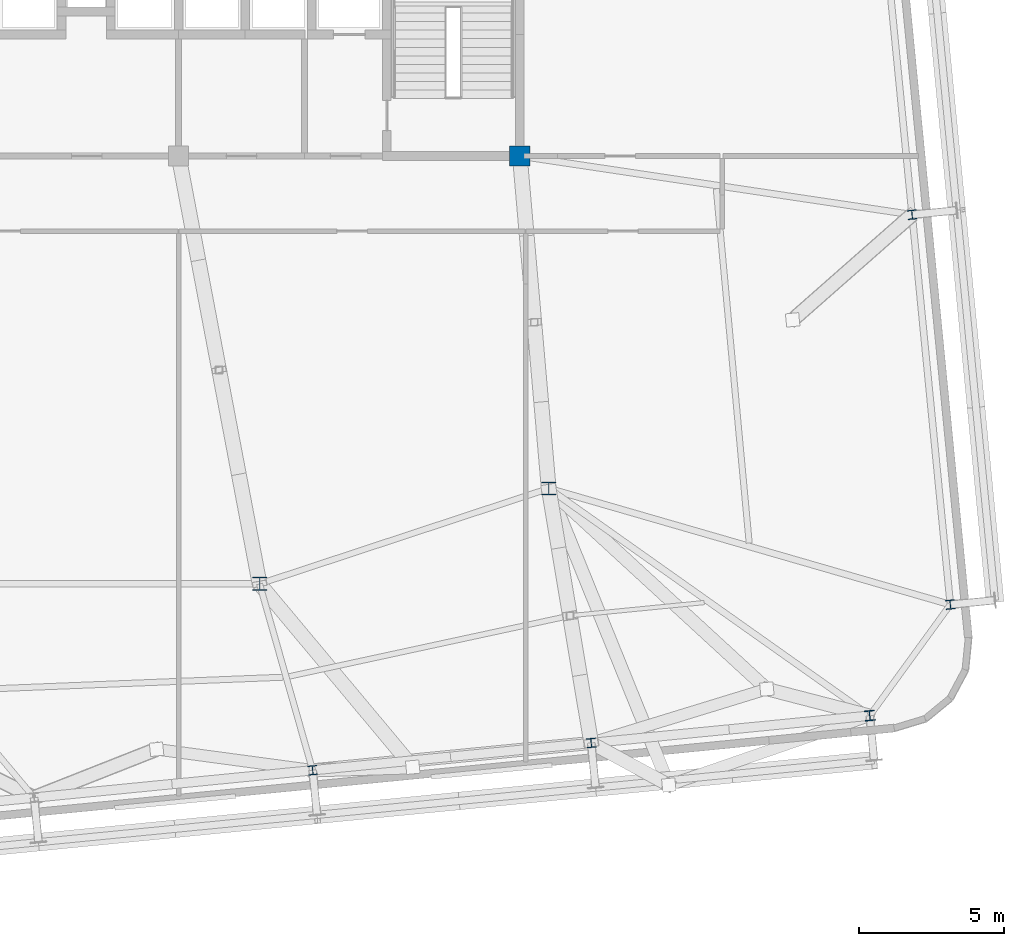
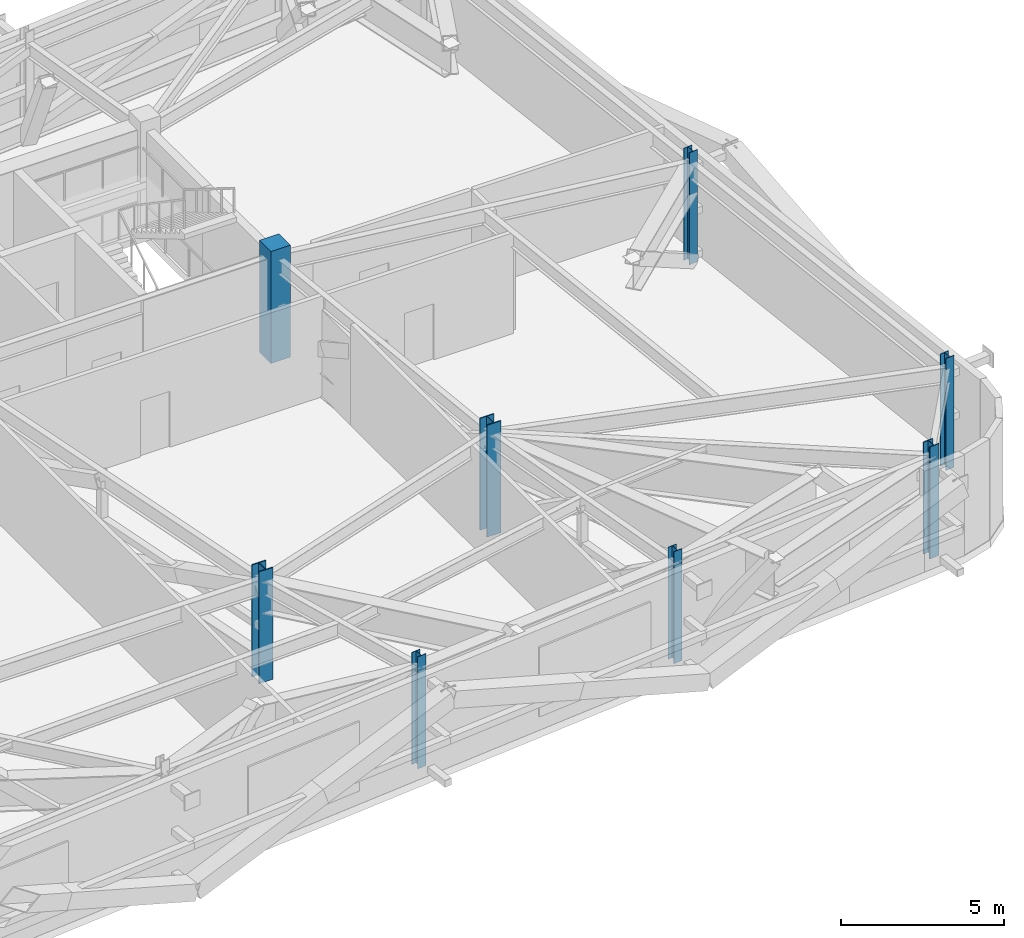
# One storey, part 2 of 24: 8 columns.
"""IFC4 building model written with IfcOpenShell, lengths in metres."""

from ifc_helpers import new_model, si_unit, direction, frame, origin, origin_2d, place, context, subcontext, project, spatial, rectangle, i_section, extrude, source, transform, mapped, material, material_profile, profile_set, type_object, element, save


model = new_model("IFC4")

# Units and contexts
model_context = context("Model", 3, precision=1e-05, world=origin(), true_north=direction((0.0, 1.0)))
body_context = subcontext(model_context, "Body", "Model", "MODEL_VIEW")
ifc_project = project(units=[si_unit("LENGTHUNIT", "METRE"), si_unit("AREAUNIT", "SQUARE_METRE"), si_unit("VOLUMEUNIT", "CUBIC_METRE"), si_unit("PLANEANGLEUNIT", "RADIAN"), si_unit("MASSUNIT", "GRAM", prefix="KILO")], contexts=[model_context])

# Site, building, storey
site_placement = place(None, origin())
site = spatial("IfcSite", under=ifc_project, at=site_placement, CompositionType="ELEMENT")
building_placement = place(site_placement, origin())
building = spatial("IfcBuilding", under=site, at=building_placement, Name="Taldren Reach Tower", CompositionType="ELEMENT")
storey_placement = place(building_placement, frame((0.0, 0.0, 112.35009765625)))
storey = spatial("IfcBuildingStorey", under=building, at=storey_placement, Name="L34", CompositionType="ELEMENT", Elevation=112.35009765625)

# Columns
ifc_material_1 = material(Name="Concrete S65 (65 MPa)", Category="concrete")
ifc_material_profile_1 = material_profile(ifc_material_1, rectangle(XDim=0.699951171875, YDim=0.699951171875, at=origin_2d()), Name="RC-700x700")
ifc_profile_set_1 = profile_set([ifc_material_profile_1], Name="Concrete S65 (65 MPa)")
column_type_1 = type_object("IfcColumnType", Name="COL-RC700", PredefinedType="COLUMN", material=ifc_profile_set_1)
shared_shape_1 = source(origin(), body_context, "Body", "SweptSolid", [
    extrude(rectangle(XDim=0.699951171875, YDim=0.699951171875, at=origin_2d()), origin(), (0.0, 0.0, 1.0), 4.199951171875),
])
column_1_placement = place(storey_placement, frame((51.0, 24.0, 0.0), z_axis=(0.0, 0.0, 1.0), x_axis=(1.0, 0.0, 0.0)))
element("IfcColumn", 1, at=column_1_placement, inside=storey, type_object=column_type_1, Name="Mega column MC-C4 L34", PredefinedType="COLUMN", context=body_context, shape_type="MappedRepresentation", body=[
    mapped(shared_shape_1, transform((0.0, 0.0, 0.0), scale=1.0)),
])
ifc_material_2 = material(Name="Steel Gr 350 (350PLUS)", Category="steel")
ifc_material_profile_2 = material_profile(ifc_material_2, i_section(OverallWidth=0.5, OverallDepth=0.464111328125, WebThickness=0.02197265625, FlangeThickness=0.033935546875, at=origin_2d()), Name="500WC340")
ifc_profile_set_2 = profile_set([ifc_material_profile_2], Name="Steel Gr 350 (350PLUS)")
column_type_2 = type_object("IfcColumnType", Name="COL-WC500B", PredefinedType="COLUMN", material=ifc_profile_set_2)
shared_shape_2 = source(origin(), body_context, "Body", "SweptSolid", [
    extrude(i_section(OverallWidth=0.5, OverallDepth=0.464111328125, WebThickness=0.02197265625, FlangeThickness=0.033935546875, at=origin_2d()), origin(), (0.0, 0.0, 1.0), 4.199951171875),
])
for number, where, z_axis, x_axis, name in (
    (2, (42.0, 9.199951171875, 0.0), (0.0, 0.0, 1.0), (1.0, 0.0, 0.0), "Mega column MC-PJE L34"),
    (3, (52.0, 12.5, 0.0), (0.0, 0.0, 1.0), (1.0, 0.0, 0.0), "Mega column MC-SE L34"),
):
    element("IfcColumn", number, at=place(storey_placement, frame(where, z_axis=z_axis, x_axis=x_axis)), inside=storey, type_object=column_type_2, Name=name, PredefinedType="COLUMN", context=body_context, shape_type="MappedRepresentation", body=[
        mapped(shared_shape_2, transform((0.0, 0.0, 0.0), scale=1.0)),
    ])
ifc_material_profile_3 = material_profile(ifc_material_2, i_section(OverallWidth=0.35009765625, OverallDepth=0.35595703125, WebThickness=0.01806640625, FlangeThickness=0.028076171875, at=origin_2d()), Name="350WC197")
ifc_profile_set_3 = profile_set([ifc_material_profile_3], Name="Steel Gr 350 (350PLUS)")
column_type_3 = type_object("IfcColumnType", Name="COL-WC350", PredefinedType="COLUMN", material=ifc_profile_set_3)
shared_shape_3 = source(origin(), body_context, "Body", "SweptSolid", [
    extrude(i_section(OverallWidth=0.35009765625, OverallDepth=0.35595703125, WebThickness=0.01806640625, FlangeThickness=0.028076171875, at=origin_2d()), origin(), (0.0, 0.0, 1.0), 4.199951171875),
])
column_2_placement = place(storey_placement, frame((63.103271484375, 4.64306640625, 0.0), z_axis=(0.0, 0.0, 1.0), x_axis=(0.995227399982, 0.097582899759, 0.0)))
element("IfcColumn", 4, at=column_2_placement, inside=storey, type_object=column_type_3, Name="Block B2 perimeter column S6 L34", PredefinedType="COLUMN", context=body_context, shape_type="MappedRepresentation", body=[
    mapped(shared_shape_3, transform((0.0, 0.0, 0.0), scale=1.0)),
])
ifc_material_profile_4 = material_profile(ifc_material_2, i_section(OverallWidth=0.306884765625, OverallDepth=0.31494140625, WebThickness=0.011962890625, FlangeThickness=0.018798828125, at=origin_2d()), Name="310UC118")
ifc_profile_set_4 = profile_set([ifc_material_profile_4], Name="Steel Gr 350 (350PLUS)")
column_type_4 = type_object("IfcColumnType", Name="COL-UC310B", PredefinedType="COLUMN", material=ifc_profile_set_4)
shared_shape_4 = source(origin(), body_context, "Body", "SweptSolid", [
    extrude(i_section(OverallWidth=0.306884765625, OverallDepth=0.31494140625, WebThickness=0.011962890625, FlangeThickness=0.018798828125, at=origin_2d()), origin(), (0.0, 0.0, 1.0), 4.199951171875),
])
for number, where, z_axis, x_axis, name in (
    (5, (43.83544921875, 2.75390625, 0.0), (0.0, 0.0, 1.0), (0.995227399982, 0.097582899759, 0.0), "Block B2 perimeter column S4 L34"),
    (6, (53.469482421875, 3.698486328125, 0.0), (0.0, 0.0, 1.0), (0.995227399982, 0.097582899759, 0.0), "Block B2 perimeter column S5 L34"),
    (7, (65.8916015625, 8.483642578125, 0.0), (0.0, 0.0, 1.0), (0.995227399982, 0.097582899759, 0.0), "Block B2 perimeter column E1 L34"),
    (8, (64.569580078125, 21.968994140625, 0.0), (0.0, 0.0, 1.0), (0.995227399982, 0.097582899759, 0.0), "Block B2 perimeter column E2 L34"),
):
    element("IfcColumn", number, at=place(storey_placement, frame(where, z_axis=z_axis, x_axis=x_axis)), inside=storey, type_object=column_type_4, Name=name, PredefinedType="COLUMN", context=body_context, shape_type="MappedRepresentation", body=[
        mapped(shared_shape_4, transform((0.0, 0.0, 0.0), scale=1.0)),
    ])

save(model, "model.ifc")
